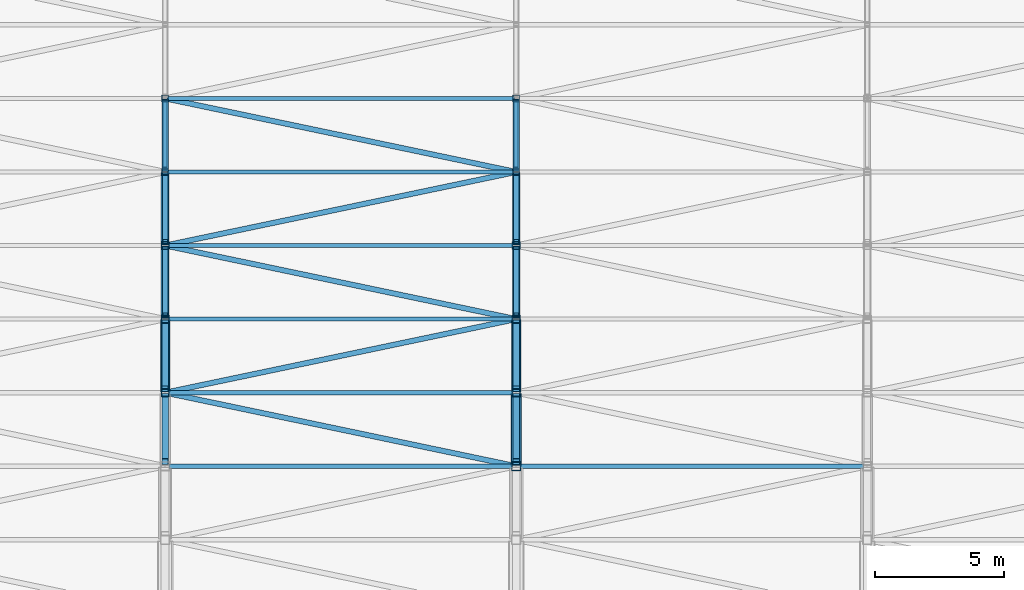
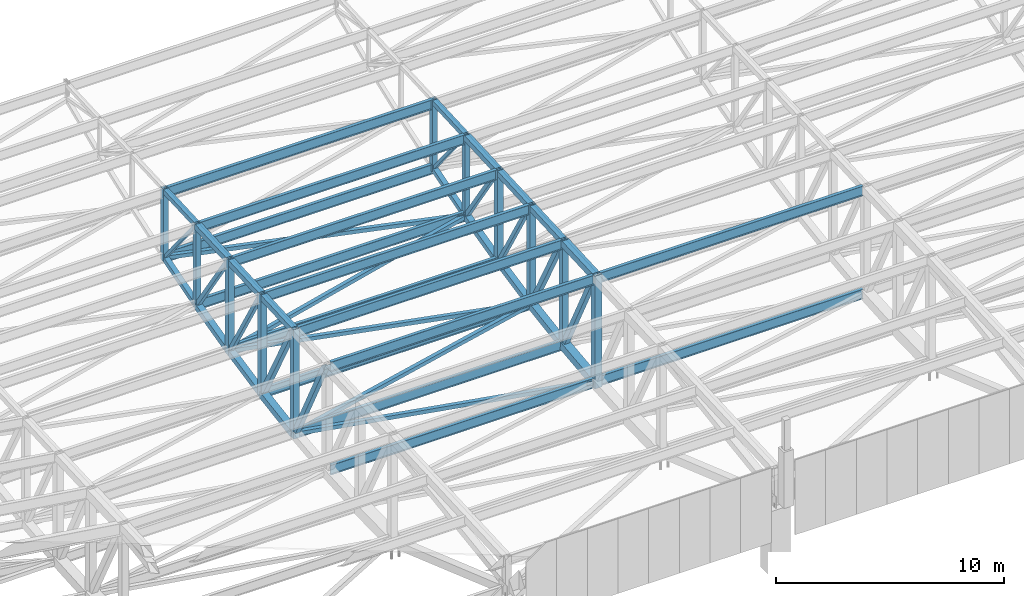
# One storey, part 19 of 278: 29 beams, 29 members.
"""IFC4 building model written with IfcOpenShell, lengths in metres."""

from ifc_helpers import new_model, si_unit, direction, frame, origin, origin_2d, place, context, subcontext, project, spatial, hollow_rectangle, i_section, extrude, material, material_profile, profile_set, type_object, element, save


model = new_model("IFC4")

# Units and contexts
model_context = context("Model", 3, precision=1e-05, world=origin(), true_north=direction((0.0, 1.0)))
body_context = subcontext(model_context, "Body", "Model", "MODEL_VIEW")
ifc_project = project(units=[si_unit("LENGTHUNIT", "METRE"), si_unit("AREAUNIT", "SQUARE_METRE"), si_unit("VOLUMEUNIT", "CUBIC_METRE"), si_unit("PLANEANGLEUNIT", "RADIAN"), si_unit("MASSUNIT", "GRAM", prefix="KILO")], contexts=[model_context])

# Site, building, storey
site_placement = place(None, origin())
site = spatial("IfcSite", under=ifc_project, at=site_placement, CompositionType="ELEMENT")
building_placement = place(site_placement, origin())
building = spatial("IfcBuilding", under=site, at=building_placement, Name="Ogive Plaza Stadium", CompositionType="ELEMENT")
storey_placement = place(building_placement, frame((0.0, 0.0, 29.0)))
storey = spatial("IfcBuildingStorey", under=building, at=storey_placement, Name="Roof", CompositionType="ELEMENT", Elevation=29.0)

# Members
ifc_material_1 = material(Name="Steel ASTM A500 Grade C", Category="steel")
ifc_material_profile_1 = material_profile(ifc_material_1, hollow_rectangle(XDim=0.203125, YDim=0.203125, WallThickness=0.0087890625, at=origin_2d()), Name="HSS8X8X3/8")
ifc_profile_set_1 = profile_set([ifc_material_profile_1], Name="Steel ASTM A500 Grade C")
member_type_1 = type_object("IfcMemberType", Name="Roof plan brace HSS8X8X3/8", PredefinedType="BRACE", material=ifc_profile_set_1)
member_1_placement = place(storey_placement, frame((-20.306884765625, -72.569580078125, 3.269775390625), z_axis=(0.977081723689, -0.204756162013, -0.058191230868), x_axis=(0.205103719581, 0.978740243483, 0.0)))
element("IfcMember", 1, at=member_1_placement, inside=storey, type_object=member_type_1, Name="ROOF BRACE B15 4", PredefinedType="BRACE", context=body_context, shape_type="SweptSolid", body=[
    extrude(hollow_rectangle(XDim=0.203125, YDim=0.203125, WallThickness=0.0087890625, at=origin_2d()), origin(), (0.0, 0.0, 1.0), 13.702392578125),
])
member_2_placement = place(storey_placement, frame((-6.91845703125, -75.4248046875, 2.459228515625), z_axis=(-0.977474612888, -0.204849020574, -0.05079625901), x_axis=(0.205113814972, -0.97873812785, 0.0)))
element("IfcMember", 2, at=member_2_placement, inside=storey, type_object=member_type_1, Name="ROOF BRACE B15 5", PredefinedType="BRACE", context=body_context, shape_type="SweptSolid", body=[
    extrude(hollow_rectangle(XDim=0.203125, YDim=0.203125, WallThickness=0.0087890625, at=origin_2d()), origin(), (0.0, 0.0, 1.0), 13.64501953125),
])
member_3_placement = place(storey_placement, frame((-20.256103515625, -78.280029296875, 1.752685546875), z_axis=(0.977965523229, -0.204948228106, -0.039744926357), x_axis=(0.205110294312, 0.978738865667, 0.0)))
element("IfcMember", 3, at=member_3_placement, inside=storey, type_object=member_type_1, Name="ROOF BRACE B15 6", PredefinedType="BRACE", context=body_context, shape_type="SweptSolid", body=[
    extrude(hollow_rectangle(XDim=0.203125, YDim=0.203125, WallThickness=0.0087890625, at=origin_2d()), origin(), (0.0, 0.0, 1.0), 13.6123046875),
])
member_4_placement = place(storey_placement, frame((-6.94384765625, -81.130126953125, 1.201416015625), z_axis=(-0.978282447902, -0.205014644711, -0.030536004664), x_axis=(0.205110294312, -0.978738865667, 0.0)))
element("IfcMember", 4, at=member_4_placement, inside=storey, type_object=member_type_1, Name="ROOF BRACE B15 7", PredefinedType="BRACE", context=body_context, shape_type="SweptSolid", body=[
    extrude(hollow_rectangle(XDim=0.203125, YDim=0.203125, WallThickness=0.0087890625, at=origin_2d()), origin(), (0.0, 0.0, 1.0), 13.607666015625),
])
member_5_placement = place(storey_placement, frame((-20.256103515625, -83.980224609375, 0.778564453125), z_axis=(0.978554365022, -0.205067940633, -0.019454933079), x_axis=(0.205106760189, 0.978739606292, 0.0)))
element("IfcMember", 5, at=member_5_placement, inside=storey, type_object=member_type_1, Name="ROOF BRACE B15 8", PredefinedType="BRACE", context=body_context, shape_type="SweptSolid", body=[
    extrude(hollow_rectangle(XDim=0.203125, YDim=0.203125, WallThickness=0.0087890625, at=origin_2d()), origin(), (0.0, 0.0, 1.0), 13.578125),
])
ifc_material_2 = material(Name="Steel ASTM A992 Grade 50", Category="steel")
ifc_material_profile_2 = material_profile(ifc_material_2, i_section(OverallWidth=0.1650390625, OverallDepth=0.524658203125, WebThickness=0.0087890625, FlangeThickness=0.011474609375, at=origin_2d()), Name="W21X44")
ifc_profile_set_2 = profile_set([ifc_material_profile_2], Name="Steel ASTM A992 Grade 50")
member_type_2 = type_object("IfcMemberType", Name="Roof plan strut W21X44", PredefinedType="STRUT", material=ifc_profile_set_2)
member_6_placement = place(storey_placement, frame((6.652099609375, -86.800048828125, 0.510986328125), z_axis=(-1.0, 0.0, 0.0), x_axis=(0.0, -1.0, 0.0)))
element("IfcMember", 6, at=member_6_placement, inside=storey, type_object=member_type_2, Name="ROOF STRUT B14 8", PredefinedType="STRUT", context=body_context, shape_type="SweptSolid", body=[
    extrude(i_section(OverallWidth=0.1650390625, OverallDepth=0.524658203125, WebThickness=0.0087890625, FlangeThickness=0.011474609375, at=origin_2d()), origin(), (0.0, 0.0, 1.0), 13.30419921875),
])
member_7_placement = place(storey_placement, frame((-6.87158203125, -72.550048828125, 3.275146484375), z_axis=(-1.0, 0.0, 0.0), x_axis=(0.0, -1.0, 0.0)))
element("IfcMember", 7, at=member_7_placement, inside=storey, type_object=member_type_2, Name="ROOF STRUT B15 3", PredefinedType="STRUT", context=body_context, shape_type="SweptSolid", body=[
    extrude(i_section(OverallWidth=0.1650390625, OverallDepth=0.524658203125, WebThickness=0.0087890625, FlangeThickness=0.011474609375, at=origin_2d()), origin(), (0.0, 0.0, 1.0), 13.456787109375),
])
member_8_placement = place(storey_placement, frame((-6.89697265625, -75.39990234375, 2.46533203125), z_axis=(-1.0, 0.0, 0.0), x_axis=(0.0, -1.0, 0.0)))
element("IfcMember", 8, at=member_8_placement, inside=storey, type_object=member_type_2, Name="ROOF STRUT B15 4", PredefinedType="STRUT", context=body_context, shape_type="SweptSolid", body=[
    extrude(i_section(OverallWidth=0.1650390625, OverallDepth=0.524658203125, WebThickness=0.0087890625, FlangeThickness=0.011474609375, at=origin_2d()), origin(), (0.0, 0.0, 1.0), 13.406005859375),
])
for number, where, z_axis, x_axis, name in (
    (9, (-6.92236328125, -78.25, 1.758544921875), (-1.0, 0.0, 0.0), (0.0, -1.0, 0.0), "ROOF STRUT B15 5"),
    (10, (-6.92236328125, -81.10009765625, 1.205810546875), (-1.0, 0.0, 0.0), (0.0, -1.0, 0.0), "ROOF STRUT B15 6"),
    (11, (-6.92236328125, -83.949951171875, 0.781494140625), (-1.0, 0.0, 0.0), (0.0, -1.0, 0.0), "ROOF STRUT B15 7"),
):
    element("IfcMember", number, at=place(storey_placement, frame(where, z_axis=z_axis, x_axis=x_axis)), inside=storey, type_object=member_type_2, Name=name, PredefinedType="STRUT", context=body_context, shape_type="SweptSolid", body=[
        extrude(i_section(OverallWidth=0.1650390625, OverallDepth=0.524658203125, WebThickness=0.0087890625, FlangeThickness=0.011474609375, at=origin_2d()), origin(), (0.0, 0.0, 1.0), 13.355224609375),
    ])
member_9_placement = place(storey_placement, frame((-6.94775390625, -86.800048828125, 0.510986328125), z_axis=(-1.0, 0.0, 0.0), x_axis=(0.0, -1.0, 0.0)))
element("IfcMember", 12, at=member_9_placement, inside=storey, type_object=member_type_2, Name="ROOF STRUT B15 8", PredefinedType="STRUT", context=body_context, shape_type="SweptSolid", body=[
    extrude(i_section(OverallWidth=0.1650390625, OverallDepth=0.524658203125, WebThickness=0.0087890625, FlangeThickness=0.011474609375, at=origin_2d()), origin(), (0.0, 0.0, 1.0), 13.304443359375),
])
ifc_material_3 = material(Name="Steel ASTM A992 Grade 50", Category="steel")
ifc_material_profile_3 = material_profile(ifc_material_3, i_section(OverallWidth=0.1650390625, OverallDepth=0.524658203125, WebThickness=0.0087890625, FlangeThickness=0.011474609375, at=origin_2d()), Name="W21X44")
ifc_profile_set_3 = profile_set([ifc_material_profile_3], Name="Steel ASTM A992 Grade 50")
member_type_3 = type_object("IfcMemberType", Name="Roof purlin W21X44", PredefinedType="PURLIN", material=ifc_profile_set_3)
member_10_placement = place(storey_placement, frame((6.652099609375, -86.800048828125, 6.022705078125), z_axis=(-1.0, 0.0, 0.0), x_axis=(0.0, -1.0, 0.0)))
element("IfcMember", 13, at=member_10_placement, inside=storey, type_object=member_type_3, Name="ROOF PURLIN B14 8", PredefinedType="PURLIN", context=body_context, shape_type="SweptSolid", body=[
    extrude(i_section(OverallWidth=0.1650390625, OverallDepth=0.524658203125, WebThickness=0.0087890625, FlangeThickness=0.011474609375, at=origin_2d()), origin(), (0.0, 0.0, 1.0), 13.30419921875),
])
member_11_placement = place(storey_placement, frame((-6.87158203125, -72.550048828125, 6.735107421875), z_axis=(-1.0, 0.0, 0.0), x_axis=(0.0, -1.0, 0.0)))
element("IfcMember", 14, at=member_11_placement, inside=storey, type_object=member_type_3, Name="ROOF PURLIN B15 3", PredefinedType="PURLIN", context=body_context, shape_type="SweptSolid", body=[
    extrude(i_section(OverallWidth=0.1650390625, OverallDepth=0.524658203125, WebThickness=0.0087890625, FlangeThickness=0.011474609375, at=origin_2d()), origin(), (0.0, 0.0, 1.0), 13.456787109375),
])
member_12_placement = place(storey_placement, frame((-6.89697265625, -75.39990234375, 6.592529296875), z_axis=(-1.0, 0.0, 0.0), x_axis=(0.0, -1.0, 0.0)))
element("IfcMember", 15, at=member_12_placement, inside=storey, type_object=member_type_3, Name="ROOF PURLIN B15 4", PredefinedType="PURLIN", context=body_context, shape_type="SweptSolid", body=[
    extrude(i_section(OverallWidth=0.1650390625, OverallDepth=0.524658203125, WebThickness=0.0087890625, FlangeThickness=0.011474609375, at=origin_2d()), origin(), (0.0, 0.0, 1.0), 13.406005859375),
])
for number, where, z_axis, x_axis, name in (
    (16, (-6.92236328125, -78.25, 6.4501953125), (-1.0, 0.0, 0.0), (0.0, -1.0, 0.0), "ROOF PURLIN B15 5"),
    (17, (-6.92236328125, -81.10009765625, 6.3076171875), (-1.0, 0.0, 0.0), (0.0, -1.0, 0.0), "ROOF PURLIN B15 6"),
    (18, (-6.92236328125, -83.949951171875, 6.1650390625), (-1.0, 0.0, 0.0), (0.0, -1.0, 0.0), "ROOF PURLIN B15 7"),
):
    element("IfcMember", number, at=place(storey_placement, frame(where, z_axis=z_axis, x_axis=x_axis)), inside=storey, type_object=member_type_3, Name=name, PredefinedType="PURLIN", context=body_context, shape_type="SweptSolid", body=[
        extrude(i_section(OverallWidth=0.1650390625, OverallDepth=0.524658203125, WebThickness=0.0087890625, FlangeThickness=0.011474609375, at=origin_2d()), origin(), (0.0, 0.0, 1.0), 13.355224609375),
    ])
member_13_placement = place(storey_placement, frame((-6.94775390625, -86.800048828125, 6.022705078125), z_axis=(-1.0, 0.0, 0.0), x_axis=(0.0, -1.0, 0.0)))
element("IfcMember", 19, at=member_13_placement, inside=storey, type_object=member_type_3, Name="ROOF PURLIN B15 8", PredefinedType="PURLIN", context=body_context, shape_type="SweptSolid", body=[
    extrude(i_section(OverallWidth=0.1650390625, OverallDepth=0.524658203125, WebThickness=0.0087890625, FlangeThickness=0.011474609375, at=origin_2d()), origin(), (0.0, 0.0, 1.0), 13.304443359375),
])

# Beams
ifc_material_4 = material(Name="Steel ASTM A500 Grade C", Category="steel")
ifc_material_profile_4 = material_profile(ifc_material_4, hollow_rectangle(XDim=0.25390625, YDim=0.25390625, WallThickness=0.01171875, at=origin_2d()), Name="HSS10X10X1/2")
ifc_profile_set_4 = profile_set([ifc_material_profile_4], Name="Steel ASTM A500 Grade C")
beam_type_1 = type_object("IfcBeamType", Name="Roof truss bottom chord HSS10X10X1/2", PredefinedType="BEAM", material=ifc_profile_set_4)
for number, where, z_axis, x_axis, name in (
    (20, (-6.800048828125, -72.60009765625, 3.265869140625), (0.0, -0.959640437259, -0.281229854705), (1.0, 0.0, 0.0), "ROOF TRUSS T15 BOTTOM CHORD 4"),
    (21, (-20.39990234375, -72.60009765625, 3.265869140625), (0.0, -0.959640437259, -0.281229854705), (1.0, 0.0, 0.0), "ROOF TRUSS T16 BOTTOM CHORD 4"),
):
    element("IfcBeam", number, at=place(storey_placement, frame(where, z_axis=z_axis, x_axis=x_axis)), inside=storey, type_object=beam_type_1, Name=name, PredefinedType="BEAM", context=body_context, shape_type="SweptSolid", body=[
        extrude(hollow_rectangle(XDim=0.25390625, YDim=0.25390625, WallThickness=0.01171875, at=origin_2d()), origin(), (0.0, 0.0, 1.0), 2.86572265625),
    ])
ifc_material_5 = material(Name="Steel ASTM A500 Grade C", Category="steel")
ifc_material_profile_5 = material_profile(ifc_material_5, hollow_rectangle(XDim=0.3046875, YDim=0.3046875, WallThickness=0.0146484375, at=origin_2d()), Name="HSS12X12X5/8")
ifc_profile_set_5 = profile_set([ifc_material_profile_5], Name="Steel ASTM A500 Grade C")
beam_type_2 = type_object("IfcBeamType", Name="Roof truss bottom chord HSS12X12X5/8", PredefinedType="BEAM", material=ifc_profile_set_5)
beam_1_placement = place(storey_placement, frame((-6.800048828125, -75.449951171875, 2.45751953125), z_axis=(0.0, -0.970607032995, -0.240669872439), x_axis=(1.0, 0.0, 0.0)))
element("IfcBeam", 22, at=beam_1_placement, inside=storey, type_object=beam_type_2, Name="ROOF TRUSS T15 BOTTOM CHORD 5", PredefinedType="BEAM", context=body_context, shape_type="SweptSolid", body=[
    extrude(hollow_rectangle(XDim=0.3046875, YDim=0.3046875, WallThickness=0.0146484375, at=origin_2d()), origin(), (0.0, 0.0, 1.0), 2.833251953125),
])
beam_2_placement = place(storey_placement, frame((-6.800048828125, -78.300048828125, 1.751708984375), z_axis=(0.0, -0.980021250437, -0.19889280704), x_axis=(1.0, 0.0, 0.0)))
element("IfcBeam", 23, at=beam_2_placement, inside=storey, type_object=beam_type_2, Name="ROOF TRUSS T15 BOTTOM CHORD 6", PredefinedType="BEAM", context=body_context, shape_type="SweptSolid", body=[
    extrude(hollow_rectangle(XDim=0.3046875, YDim=0.3046875, WallThickness=0.0146484375, at=origin_2d()), origin(), (0.0, 0.0, 1.0), 2.80615234375),
])
beam_3_placement = place(storey_placement, frame((-20.39990234375, -75.449951171875, 2.45751953125), z_axis=(0.0, -0.970607032995, -0.240669872439), x_axis=(1.0, 0.0, 0.0)))
element("IfcBeam", 24, at=beam_3_placement, inside=storey, type_object=beam_type_2, Name="ROOF TRUSS T16 BOTTOM CHORD 5", PredefinedType="BEAM", context=body_context, shape_type="SweptSolid", body=[
    extrude(hollow_rectangle(XDim=0.3046875, YDim=0.3046875, WallThickness=0.0146484375, at=origin_2d()), origin(), (0.0, 0.0, 1.0), 2.833251953125),
])
beam_4_placement = place(storey_placement, frame((-20.39990234375, -78.300048828125, 1.751708984375), z_axis=(0.0, -0.980021250437, -0.19889280704), x_axis=(1.0, 0.0, 0.0)))
element("IfcBeam", 25, at=beam_4_placement, inside=storey, type_object=beam_type_2, Name="ROOF TRUSS T16 BOTTOM CHORD 6", PredefinedType="BEAM", context=body_context, shape_type="SweptSolid", body=[
    extrude(hollow_rectangle(XDim=0.3046875, YDim=0.3046875, WallThickness=0.0146484375, at=origin_2d()), origin(), (0.0, 0.0, 1.0), 2.80615234375),
])
ifc_material_6 = material(Name="Steel ASTM A500 Grade C", Category="steel")
ifc_material_profile_6 = material_profile(ifc_material_6, hollow_rectangle(XDim=0.355712890625, YDim=0.355712890625, WallThickness=0.0146484375, at=origin_2d()), Name="HSS14X14X5/8")
ifc_profile_set_6 = profile_set([ifc_material_profile_6], Name="Steel ASTM A500 Grade C")
beam_type_3 = type_object("IfcBeamType", Name="Roof truss bottom chord HSS14X14X5/8", PredefinedType="BEAM", material=ifc_profile_set_6)
for number, where, z_axis, x_axis, name in (
    (26, (-6.800048828125, -81.14990234375, 1.2001953125), (0.0, -0.987770074518, -0.155917541947), (1.0, 0.0, 0.0), "ROOF TRUSS T15 BOTTOM CHORD 7"),
    (27, (-20.39990234375, -81.14990234375, 1.2001953125), (0.0, -0.987770074518, -0.155917541947), (1.0, 0.0, 0.0), "ROOF TRUSS T16 BOTTOM CHORD 7"),
):
    element("IfcBeam", number, at=place(storey_placement, frame(where, z_axis=z_axis, x_axis=x_axis)), inside=storey, type_object=beam_type_3, Name=name, PredefinedType="BEAM", context=body_context, shape_type="SweptSolid", body=[
        extrude(hollow_rectangle(XDim=0.355712890625, YDim=0.355712890625, WallThickness=0.0146484375, at=origin_2d()), origin(), (0.0, 0.0, 1.0), 2.783935546875),
    ])
ifc_material_7 = material(Name="Steel ASTM A500 Grade C", Category="steel")
ifc_material_profile_7 = material_profile(ifc_material_7, hollow_rectangle(XDim=0.406494140625, YDim=0.406494140625, WallThickness=0.0146484375, at=origin_2d()), Name="HSS16X16X5/8")
ifc_profile_set_7 = profile_set([ifc_material_profile_7], Name="Steel ASTM A500 Grade C")
beam_type_4 = type_object("IfcBeamType", Name="Roof truss bottom chord HSS16X16X5/8", PredefinedType="BEAM", material=ifc_profile_set_7)
beam_5_placement = place(storey_placement, frame((-6.800048828125, -84.0, 0.777099609375), z_axis=(0.0, -0.993703844406, -0.112038696946), x_axis=(1.0, 0.0, 0.0)))
element("IfcBeam", 28, at=beam_5_placement, inside=storey, type_object=beam_type_4, Name="ROOF TRUSS T15 BOTTOM CHORD 8", PredefinedType="BEAM", context=body_context, shape_type="SweptSolid", body=[
    extrude(hollow_rectangle(XDim=0.406494140625, YDim=0.406494140625, WallThickness=0.0146484375, at=origin_2d()), origin(), (0.0, 0.0, 1.0), 2.767333984375),
])

# Members
ifc_material_8 = material(Name="Steel ASTM A500 Grade C", Category="steel")
ifc_material_profile_8 = material_profile(ifc_material_8, hollow_rectangle(XDim=0.25390625, YDim=0.25390625, WallThickness=0.0087890625, at=origin_2d()), Name="HSS10X10X3/8")
ifc_profile_set_8 = profile_set([ifc_material_profile_8], Name="Steel ASTM A500 Grade C")
member_type_4 = type_object("IfcMemberType", Name="Roof truss diagonal HSS10X10X3/8", PredefinedType="BRACE", material=ifc_profile_set_8)
member_14_placement = place(storey_placement, frame((-6.800048828125, -81.25244140625, 1.383544921875), z_axis=(0.0, -0.473127942579, 0.880993728667), x_axis=(1.0, 0.0, 0.0)))
element("IfcMember", 29, at=member_14_placement, inside=storey, type_object=member_type_4, Name="ROOF TRUSS T15 DIAGONAL 7", PredefinedType="BRACE", context=body_context, shape_type="SweptSolid", body=[
    extrude(hollow_rectangle(XDim=0.25390625, YDim=0.25390625, WallThickness=0.0087890625, at=origin_2d()), origin(), (0.0, 0.0, 1.0), 5.37939453125),
])
member_15_placement = place(storey_placement, frame((-6.800048828125, -84.102294921875, 0.984619140625), z_axis=(0.0, -0.454062843231, 0.890969659639), x_axis=(1.0, 0.0, 0.0)))
element("IfcMember", 30, at=member_15_placement, inside=storey, type_object=member_type_4, Name="ROOF TRUSS T15 DIAGONAL 8", PredefinedType="BRACE", context=body_context, shape_type="SweptSolid", body=[
    extrude(hollow_rectangle(XDim=0.25390625, YDim=0.25390625, WallThickness=0.0087890625, at=origin_2d()), origin(), (0.0, 0.0, 1.0), 5.550048828125),
])
member_16_placement = place(storey_placement, frame((-20.39990234375, -81.25244140625, 1.383544921875), z_axis=(0.0, -0.473127942579, 0.880993728667), x_axis=(1.0, 0.0, 0.0)))
element("IfcMember", 31, at=member_16_placement, inside=storey, type_object=member_type_4, Name="ROOF TRUSS T16 DIAGONAL 7", PredefinedType="BRACE", context=body_context, shape_type="SweptSolid", body=[
    extrude(hollow_rectangle(XDim=0.25390625, YDim=0.25390625, WallThickness=0.0087890625, at=origin_2d()), origin(), (0.0, 0.0, 1.0), 5.37939453125),
])
member_17_placement = place(storey_placement, frame((-20.39990234375, -84.102294921875, 0.984619140625), z_axis=(0.0, -0.454062843231, 0.890969659639), x_axis=(1.0, 0.0, 0.0)))
element("IfcMember", 32, at=member_17_placement, inside=storey, type_object=member_type_4, Name="ROOF TRUSS T16 DIAGONAL 8", PredefinedType="BRACE", context=body_context, shape_type="SweptSolid", body=[
    extrude(hollow_rectangle(XDim=0.25390625, YDim=0.25390625, WallThickness=0.0087890625, at=origin_2d()), origin(), (0.0, 0.0, 1.0), 5.550048828125),
])
ifc_material_9 = material(Name="Steel ASTM A500 Grade C", Category="steel")
ifc_material_profile_9 = material_profile(ifc_material_9, hollow_rectangle(XDim=0.15234375, YDim=0.15234375, WallThickness=0.0087890625, at=origin_2d()), Name="HSS6X6X3/8")
ifc_profile_set_9 = profile_set([ifc_material_profile_9], Name="Steel ASTM A500 Grade C")
member_type_5 = type_object("IfcMemberType", Name="Roof truss diagonal HSS6X6X3/8", PredefinedType="BRACE", material=ifc_profile_set_9)
for number, where, z_axis, x_axis, name in (
    (33, (-6.800048828125, -72.677001953125, 3.40234375), (0.0, -0.630150764463, 0.77647280316), (1.0, 0.0, 0.0), "ROOF TRUSS T15 DIAGONAL 4"),
    (34, (-20.39990234375, -72.677001953125, 3.40234375), (0.0, -0.630150764463, 0.77647280316), (1.0, 0.0, 0.0), "ROOF TRUSS T16 DIAGONAL 4"),
):
    element("IfcMember", number, at=place(storey_placement, frame(where, z_axis=z_axis, x_axis=x_axis)), inside=storey, type_object=member_type_5, Name=name, PredefinedType="BRACE", context=body_context, shape_type="SweptSolid", body=[
        extrude(hollow_rectangle(XDim=0.15234375, YDim=0.15234375, WallThickness=0.0087890625, at=origin_2d()), origin(), (0.0, 0.0, 1.0), 4.11962890625),
    ])
ifc_material_10 = material(Name="Steel ASTM A500 Grade C", Category="steel")
ifc_material_profile_10 = material_profile(ifc_material_10, hollow_rectangle(XDim=0.203125, YDim=0.203125, WallThickness=0.0087890625, at=origin_2d()), Name="HSS8X8X3/8")
ifc_profile_set_10 = profile_set([ifc_material_profile_10], Name="Steel ASTM A500 Grade C")
member_type_6 = type_object("IfcMemberType", Name="Roof truss diagonal HSS8X8X3/8", PredefinedType="BRACE", material=ifc_profile_set_10)
member_18_placement = place(storey_placement, frame((-6.800048828125, -75.527099609375, 2.617919921875), z_axis=(0.0, -0.561338440243, 0.827586343233), x_axis=(1.0, 0.0, 0.0)))
element("IfcMember", 35, at=member_18_placement, inside=storey, type_object=member_type_6, Name="ROOF TRUSS T15 DIAGONAL 5", PredefinedType="BRACE", context=body_context, shape_type="SweptSolid", body=[
    extrude(hollow_rectangle(XDim=0.203125, YDim=0.203125, WallThickness=0.0087890625, at=origin_2d()), origin(), (0.0, 0.0, 1.0), 4.579345703125),
])
member_19_placement = place(storey_placement, frame((-6.800048828125, -78.40234375, 1.9111328125), z_axis=(0.0, -0.504659398762, 0.863318534054), x_axis=(1.0, 0.0, 0.0)))
element("IfcMember", 36, at=member_19_placement, inside=storey, type_object=member_type_6, Name="ROOF TRUSS T15 DIAGONAL 6", PredefinedType="BRACE", context=body_context, shape_type="SweptSolid", body=[
    extrude(hollow_rectangle(XDim=0.203125, YDim=0.203125, WallThickness=0.0087890625, at=origin_2d()), origin(), (0.0, 0.0, 1.0), 5.043212890625),
])
member_20_placement = place(storey_placement, frame((-20.39990234375, -75.527099609375, 2.617919921875), z_axis=(0.0, -0.561338440243, 0.827586343233), x_axis=(1.0, 0.0, 0.0)))
element("IfcMember", 37, at=member_20_placement, inside=storey, type_object=member_type_6, Name="ROOF TRUSS T16 DIAGONAL 5", PredefinedType="BRACE", context=body_context, shape_type="SweptSolid", body=[
    extrude(hollow_rectangle(XDim=0.203125, YDim=0.203125, WallThickness=0.0087890625, at=origin_2d()), origin(), (0.0, 0.0, 1.0), 4.579345703125),
])
member_21_placement = place(storey_placement, frame((-20.39990234375, -78.40234375, 1.9111328125), z_axis=(0.0, -0.504659398762, 0.863318534054), x_axis=(1.0, 0.0, 0.0)))
element("IfcMember", 38, at=member_21_placement, inside=storey, type_object=member_type_6, Name="ROOF TRUSS T16 DIAGONAL 6", PredefinedType="BRACE", context=body_context, shape_type="SweptSolid", body=[
    extrude(hollow_rectangle(XDim=0.203125, YDim=0.203125, WallThickness=0.0087890625, at=origin_2d()), origin(), (0.0, 0.0, 1.0), 5.043212890625),
])

# Beams
ifc_material_11 = material(Name="Steel ASTM A500 Grade C", Category="steel")
ifc_material_profile_11 = material_profile(ifc_material_11, hollow_rectangle(XDim=0.25390625, YDim=0.25390625, WallThickness=0.01171875, at=origin_2d()), Name="HSS10X10X1/2")
ifc_profile_set_11 = profile_set([ifc_material_profile_11], Name="Steel ASTM A500 Grade C")
beam_type_5 = type_object("IfcBeamType", Name="Roof truss post HSS10X10X1/2", PredefinedType="BEAM", material=ifc_profile_set_11)
beam_6_placement = place(storey_placement, frame((-6.800048828125, -72.550048828125, 3.148193359375), z_axis=(0.0, 0.0, 1.0), x_axis=(1.0, 0.0, 0.0)))
element("IfcBeam", 39, at=beam_6_placement, inside=storey, type_object=beam_type_5, Name="ROOF TRUSS T15 POST 4", PredefinedType="BEAM", context=body_context, shape_type="SweptSolid", body=[
    extrude(hollow_rectangle(XDim=0.25390625, YDim=0.25390625, WallThickness=0.01171875, at=origin_2d()), origin(), (0.0, 0.0, 1.0), 3.849365234375),
])
beam_7_placement = place(storey_placement, frame((-6.800048828125, -75.39990234375, 2.31298828125), z_axis=(0.0, 0.0, 1.0), x_axis=(1.0, 0.0, 0.0)))
element("IfcBeam", 40, at=beam_7_placement, inside=storey, type_object=beam_type_5, Name="ROOF TRUSS T15 POST 5", PredefinedType="BEAM", context=body_context, shape_type="SweptSolid", body=[
    extrude(hollow_rectangle(XDim=0.25390625, YDim=0.25390625, WallThickness=0.01171875, at=origin_2d()), origin(), (0.0, 0.0, 1.0), 4.5419921875),
])
beam_8_placement = place(storey_placement, frame((-20.39990234375, -72.550048828125, 3.148193359375), z_axis=(0.0, 0.0, 1.0), x_axis=(1.0, 0.0, 0.0)))
element("IfcBeam", 41, at=beam_8_placement, inside=storey, type_object=beam_type_5, Name="ROOF TRUSS T16 POST 4", PredefinedType="BEAM", context=body_context, shape_type="SweptSolid", body=[
    extrude(hollow_rectangle(XDim=0.25390625, YDim=0.25390625, WallThickness=0.01171875, at=origin_2d()), origin(), (0.0, 0.0, 1.0), 3.849365234375),
])
beam_9_placement = place(storey_placement, frame((-20.39990234375, -75.39990234375, 2.31298828125), z_axis=(0.0, 0.0, 1.0), x_axis=(1.0, 0.0, 0.0)))
element("IfcBeam", 42, at=beam_9_placement, inside=storey, type_object=beam_type_5, Name="ROOF TRUSS T16 POST 5", PredefinedType="BEAM", context=body_context, shape_type="SweptSolid", body=[
    extrude(hollow_rectangle(XDim=0.25390625, YDim=0.25390625, WallThickness=0.01171875, at=origin_2d()), origin(), (0.0, 0.0, 1.0), 4.5419921875),
])
ifc_material_12 = material(Name="Steel ASTM A500 Grade C", Category="steel")
ifc_material_profile_12 = material_profile(ifc_material_12, hollow_rectangle(XDim=0.3046875, YDim=0.3046875, WallThickness=0.01171875, at=origin_2d()), Name="HSS12X12X1/2")
ifc_profile_set_12 = profile_set([ifc_material_profile_12], Name="Steel ASTM A500 Grade C")
beam_type_6 = type_object("IfcBeamType", Name="Roof truss post HSS12X12X1/2", PredefinedType="BEAM", material=ifc_profile_set_12)
for number, where, z_axis, x_axis, name in (
    (43, (-6.800048828125, -78.25, 1.606201171875), (0.0, 0.0, 1.0), (1.0, 0.0, 0.0), "ROOF TRUSS T15 POST 6"),
    (44, (-20.39990234375, -78.25, 1.606201171875), (0.0, 0.0, 1.0), (1.0, 0.0, 0.0), "ROOF TRUSS T16 POST 6"),
):
    element("IfcBeam", number, at=place(storey_placement, frame(where, z_axis=z_axis, x_axis=x_axis)), inside=storey, type_object=beam_type_6, Name=name, PredefinedType="BEAM", context=body_context, shape_type="SweptSolid", body=[
        extrude(hollow_rectangle(XDim=0.3046875, YDim=0.3046875, WallThickness=0.01171875, at=origin_2d()), origin(), (0.0, 0.0, 1.0), 5.106201171875),
    ])
ifc_material_13 = material(Name="Steel ASTM A500 Grade C", Category="steel")
ifc_material_profile_13 = material_profile(ifc_material_13, hollow_rectangle(XDim=0.3046875, YDim=0.3046875, WallThickness=0.0146484375, at=origin_2d()), Name="HSS12X12X5/8")
ifc_profile_set_13 = profile_set([ifc_material_profile_13], Name="Steel ASTM A500 Grade C")
beam_type_7 = type_object("IfcBeamType", Name="Roof truss post HSS12X12X5/8", PredefinedType="BEAM", material=ifc_profile_set_13)
beam_10_placement = place(storey_placement, frame((-6.800048828125, -81.10009765625, 1.028076171875), z_axis=(0.0, 0.0, 1.0), x_axis=(1.0, 0.0, 0.0)))
element("IfcBeam", 45, at=beam_10_placement, inside=storey, type_object=beam_type_7, Name="ROOF TRUSS T15 POST 7", PredefinedType="BEAM", context=body_context, shape_type="SweptSolid", body=[
    extrude(hollow_rectangle(XDim=0.3046875, YDim=0.3046875, WallThickness=0.0146484375, at=origin_2d()), origin(), (0.0, 0.0, 1.0), 5.5419921875),
])
beam_11_placement = place(storey_placement, frame((-6.800048828125, -83.949951171875, 0.578369140625), z_axis=(0.0, 0.0, 1.0), x_axis=(1.0, 0.0, 0.0)))
element("IfcBeam", 46, at=beam_11_placement, inside=storey, type_object=beam_type_7, Name="ROOF TRUSS T15 POST 8", PredefinedType="BEAM", context=body_context, shape_type="SweptSolid", body=[
    extrude(hollow_rectangle(XDim=0.3046875, YDim=0.3046875, WallThickness=0.0146484375, at=origin_2d()), origin(), (0.0, 0.0, 1.0), 5.84912109375),
])
beam_12_placement = place(storey_placement, frame((-20.39990234375, -81.10009765625, 1.028076171875), z_axis=(0.0, 0.0, 1.0), x_axis=(1.0, 0.0, 0.0)))
element("IfcBeam", 47, at=beam_12_placement, inside=storey, type_object=beam_type_7, Name="ROOF TRUSS T16 POST 7", PredefinedType="BEAM", context=body_context, shape_type="SweptSolid", body=[
    extrude(hollow_rectangle(XDim=0.3046875, YDim=0.3046875, WallThickness=0.0146484375, at=origin_2d()), origin(), (0.0, 0.0, 1.0), 5.5419921875),
])
beam_13_placement = place(storey_placement, frame((-20.39990234375, -83.949951171875, 0.578369140625), z_axis=(0.0, 0.0, 1.0), x_axis=(1.0, 0.0, 0.0)))
element("IfcBeam", 48, at=beam_13_placement, inside=storey, type_object=beam_type_7, Name="ROOF TRUSS T16 POST 8", PredefinedType="BEAM", context=body_context, shape_type="SweptSolid", body=[
    extrude(hollow_rectangle(XDim=0.3046875, YDim=0.3046875, WallThickness=0.0146484375, at=origin_2d()), origin(), (0.0, 0.0, 1.0), 5.84912109375),
])
ifc_material_14 = material(Name="Steel ASTM A500 Grade C", Category="steel")
ifc_material_profile_14 = material_profile(ifc_material_14, hollow_rectangle(XDim=0.355712890625, YDim=0.355712890625, WallThickness=0.0146484375, at=origin_2d()), Name="HSS14X14X5/8")
ifc_profile_set_14 = profile_set([ifc_material_profile_14], Name="Steel ASTM A500 Grade C")
beam_type_8 = type_object("IfcBeamType", Name="Roof truss post HSS14X14X5/8", PredefinedType="BEAM", material=ifc_profile_set_14)
beam_14_placement = place(storey_placement, frame((-6.800048828125, -86.800048828125, 0.257080078125), z_axis=(0.0, 0.0, 1.0), x_axis=(1.0, 0.0, 0.0)))
element("IfcBeam", 49, at=beam_14_placement, inside=storey, type_object=beam_type_8, Name="ROOF TRUSS T15 POST 9", PredefinedType="BEAM", context=body_context, shape_type="SweptSolid", body=[
    extrude(hollow_rectangle(XDim=0.355712890625, YDim=0.355712890625, WallThickness=0.0146484375, at=origin_2d()), origin(), (0.0, 0.0, 1.0), 6.02783203125),
])
ifc_material_15 = material(Name="Steel ASTM A500 Grade C", Category="steel")
ifc_material_profile_15 = material_profile(ifc_material_15, hollow_rectangle(XDim=0.25390625, YDim=0.25390625, WallThickness=0.0087890625, at=origin_2d()), Name="HSS10X10X3/8")
ifc_profile_set_15 = profile_set([ifc_material_profile_15], Name="Steel ASTM A500 Grade C")
beam_type_9 = type_object("IfcBeamType", Name="Roof truss top chord HSS10X10X3/8", PredefinedType="BEAM", material=ifc_profile_set_15)
for number, where, z_axis, x_axis, name in (
    (50, (-6.800048828125, -72.60009765625, 6.867919921875), (0.0, -0.998748798523, -0.05000837379), (1.0, 0.0, 0.0), "ROOF TRUSS T15 TOP CHORD 4"),
    (51, (-20.39990234375, -72.60009765625, 6.867919921875), (0.0, -0.998748798523, -0.05000837379), (1.0, 0.0, 0.0), "ROOF TRUSS T16 TOP CHORD 4"),
):
    element("IfcBeam", number, at=place(storey_placement, frame(where, z_axis=z_axis, x_axis=x_axis)), inside=storey, type_object=beam_type_9, Name=name, PredefinedType="BEAM", context=body_context, shape_type="SweptSolid", body=[
        extrude(hollow_rectangle(XDim=0.25390625, YDim=0.25390625, WallThickness=0.0087890625, at=origin_2d()), origin(), (0.0, 0.0, 1.0), 2.75341796875),
    ])
ifc_material_16 = material(Name="Steel ASTM A500 Grade C", Category="steel")
ifc_material_profile_16 = material_profile(ifc_material_16, hollow_rectangle(XDim=0.3046875, YDim=0.3046875, WallThickness=0.01171875, at=origin_2d()), Name="HSS12X12X1/2")
ifc_profile_set_16 = profile_set([ifc_material_profile_16], Name="Steel ASTM A500 Grade C")
beam_type_10 = type_object("IfcBeamType", Name="Roof truss top chord HSS12X12X1/2", PredefinedType="BEAM", material=ifc_profile_set_16)
for number, where, z_axis, x_axis, name in (
    (52, (-6.800048828125, -81.14990234375, 6.414794921875), (0.0, -0.998753223187, -0.049919927615), (1.0, 0.0, 0.0), "ROOF TRUSS T15 TOP CHORD 7"),
    (53, (-20.39990234375, -81.14990234375, 6.414794921875), (0.0, -0.998753223187, -0.049919927615), (1.0, 0.0, 0.0), "ROOF TRUSS T16 TOP CHORD 7"),
):
    element("IfcBeam", number, at=place(storey_placement, frame(where, z_axis=z_axis, x_axis=x_axis)), inside=storey, type_object=beam_type_10, Name=name, PredefinedType="BEAM", context=body_context, shape_type="SweptSolid", body=[
        extrude(hollow_rectangle(XDim=0.3046875, YDim=0.3046875, WallThickness=0.01171875, at=origin_2d()), origin(), (0.0, 0.0, 1.0), 2.75341796875),
    ])
ifc_material_17 = material(Name="Steel ASTM A500 Grade C", Category="steel")
ifc_material_profile_17 = material_profile(ifc_material_17, hollow_rectangle(XDim=0.3046875, YDim=0.3046875, WallThickness=0.0087890625, at=origin_2d()), Name="HSS12X12X3/8")
ifc_profile_set_17 = profile_set([ifc_material_profile_17], Name="Steel ASTM A500 Grade C")
beam_type_11 = type_object("IfcBeamType", Name="Roof truss top chord HSS12X12X3/8", PredefinedType="BEAM", material=ifc_profile_set_17)
for number, where, z_axis, x_axis, name in (
    (54, (-6.800048828125, -75.449951171875, 6.699951171875), (0.0, -0.998753223187, -0.049919927615), (1.0, 0.0, 0.0), "ROOF TRUSS T15 TOP CHORD 5"),
    (55, (-6.800048828125, -78.300048828125, 6.557373046875), (0.0, -0.998753223187, -0.049919927615), (1.0, 0.0, 0.0), "ROOF TRUSS T15 TOP CHORD 6"),
    (56, (-20.39990234375, -75.449951171875, 6.699951171875), (0.0, -0.998753223187, -0.049919927615), (1.0, 0.0, 0.0), "ROOF TRUSS T16 TOP CHORD 5"),
    (57, (-20.39990234375, -78.300048828125, 6.557373046875), (0.0, -0.998753223187, -0.049919927615), (1.0, 0.0, 0.0), "ROOF TRUSS T16 TOP CHORD 6"),
):
    element("IfcBeam", number, at=place(storey_placement, frame(where, z_axis=z_axis, x_axis=x_axis)), inside=storey, type_object=beam_type_11, Name=name, PredefinedType="BEAM", context=body_context, shape_type="SweptSolid", body=[
        extrude(hollow_rectangle(XDim=0.3046875, YDim=0.3046875, WallThickness=0.0087890625, at=origin_2d()), origin(), (0.0, 0.0, 1.0), 2.75341796875),
    ])
ifc_material_18 = material(Name="Steel ASTM A500 Grade C", Category="steel")
ifc_material_profile_18 = material_profile(ifc_material_18, hollow_rectangle(XDim=0.355712890625, YDim=0.355712890625, WallThickness=0.01171875, at=origin_2d()), Name="HSS14X14X1/2")
ifc_profile_set_18 = profile_set([ifc_material_profile_18], Name="Steel ASTM A500 Grade C")
beam_type_12 = type_object("IfcBeamType", Name="Roof truss top chord HSS14X14X1/2", PredefinedType="BEAM", material=ifc_profile_set_18)
beam_15_placement = place(storey_placement, frame((-6.800048828125, -84.0, 6.2470703125), z_axis=(0.0, -0.998748798523, -0.05000837379), x_axis=(1.0, 0.0, 0.0)))
element("IfcBeam", 58, at=beam_15_placement, inside=storey, type_object=beam_type_12, Name="ROOF TRUSS T15 TOP CHORD 8", PredefinedType="BEAM", context=body_context, shape_type="SweptSolid", body=[
    extrude(hollow_rectangle(XDim=0.355712890625, YDim=0.355712890625, WallThickness=0.01171875, at=origin_2d()), origin(), (0.0, 0.0, 1.0), 2.75341796875),
])

save(model, "model.ifc")
